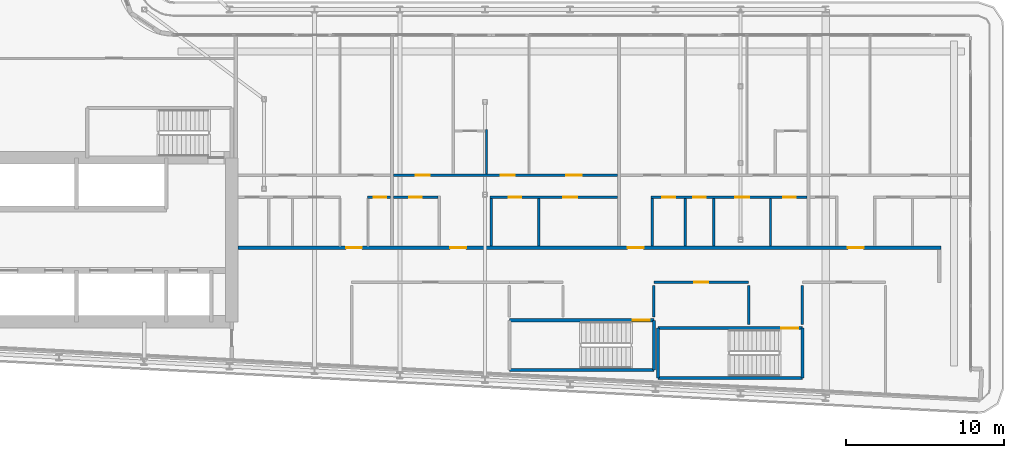
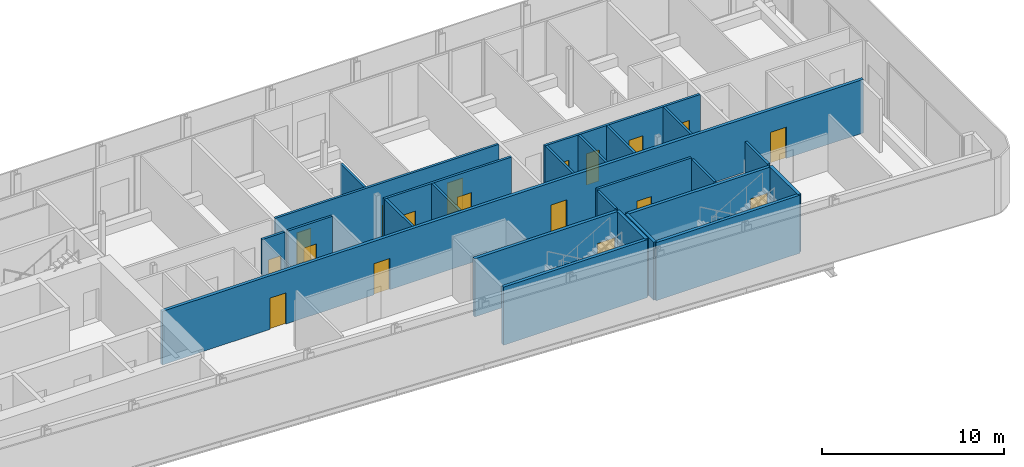
# One storey, part 17 of 29: 24 walls, 18 doors, 18 openings.
"""IFC4 building model written with IfcOpenShell, lengths in metres."""

import ifcopenshell
import ifcopenshell.guid

model = None  # the IFC model being written
_history = None  # IfcOwnerHistory: only IFC2X3 demands one
_inside = {}  # id of a spatial element -> (the spatial element, [elements in it])
_under = {}  # id of a project, library or spatial element -> (it, [spatial elements below it])
_declared = {}  # id of a project -> (the project, [libraries it declares])
_typed = {}  # id of a type object -> (the type object, [elements of that type])
_made_of = {}  # id of a material, layer set ... -> (it, [elements and type objects made of it])


def new_model(schema):
    """Start an empty IFC model of exactly this schema.

    Asked for "IFC4X3", IfcOpenShell would pick the latest addendum, in which some entities
    have other attributes; the version numbers below select the first issue.
    IFC2X3 requires an IfcOwnerHistory on every rooted entity: one is made here for all.
    """
    global model, _history
    if schema == "IFC4X3":
        model = ifcopenshell.file(schema_version=(4, 3, 0, 0))
    else:
        model = ifcopenshell.file(schema=schema)
    _inside.clear()
    _under.clear()
    _declared.clear()
    _typed.clear()
    _made_of.clear()
    _history = None
    if model.schema == "IFC2X3":
        org = make("IfcOrganization", Name="unknown")
        user = make(
            "IfcPersonAndOrganization",
            ThePerson=make("IfcPerson", FamilyName="unknown"),
            TheOrganization=org,
        )
        app = make(
            "IfcApplication",
            ApplicationDeveloper=org,
            Version="unknown",
            ApplicationFullName="unknown",
            ApplicationIdentifier="unknown",
        )
        _history = make(
            "IfcOwnerHistory",
            OwningUser=user,
            OwningApplication=app,
            ChangeAction="ADDED",
            CreationDate=0,
        )
    return model


def make(cls, **values):
    """One entity of the class cls with the attributes given. An attribute that is None is left unset."""
    return model.create_entity(
        cls, **{name: value for name, value in values.items() if value is not None}
    )


def rooted(cls, **values):
    """An entity with a GlobalId (a new one), such as an element, a storey or a relation."""
    return make(cls, GlobalId=ifcopenshell.guid.new(), OwnerHistory=_history, **values)


def si_unit(unit_type, name, prefix=None):
    """IfcSIUnit, for example si_unit("LENGTHUNIT", "METRE", prefix="MILLI")."""
    return make("IfcSIUnit", UnitType=unit_type, Prefix=prefix, Name=name)


def assignment(units):
    """IfcUnitAssignment: the units of a project."""
    return None if units is None else make("IfcUnitAssignment", Units=units)


def point(xyz):
    """IfcCartesianPoint."""
    return None if xyz is None else make("IfcCartesianPoint", Coordinates=xyz)


def direction(xyz):
    """IfcDirection."""
    return None if xyz is None else make("IfcDirection", DirectionRatios=xyz)


def frame(location, z_axis=None, x_axis=None):
    """IfcAxis2Placement3D, a coordinate frame: its origin and axes. An axis left out is left unset."""
    return make(
        "IfcAxis2Placement3D",
        Location=point(location),
        Axis=direction(z_axis),
        RefDirection=direction(x_axis),
    )


def frame_2d(location, x_axis=None):
    """IfcAxis2Placement2D, a coordinate frame in the plane: its origin and x axis."""
    return make(
        "IfcAxis2Placement2D", Location=point(location), RefDirection=direction(x_axis)
    )


def origin():
    """The frame at (0, 0, 0) with its axes left unset."""
    return frame((0.0, 0.0, 0.0))


def place(relative_to, where):
    """IfcLocalPlacement: puts the frame where relative to a parent placement (None: the world)."""
    return make(
        "IfcLocalPlacement", PlacementRelTo=relative_to, RelativePlacement=where
    )


def context(
    kind, dimensions, precision=None, world=None, true_north=None, identifier=None
):
    """IfcGeometricRepresentationContext, for example the 3D "Model" context."""
    return make(
        "IfcGeometricRepresentationContext",
        ContextIdentifier=identifier,
        ContextType=kind,
        CoordinateSpaceDimension=dimensions,
        Precision=precision,
        WorldCoordinateSystem=world,
        TrueNorth=true_north,
    )


def subcontext(parent, identifier, kind, view, scale=None):
    """IfcGeometricRepresentationSubContext, for example "Body" below "Model"."""
    return make(
        "IfcGeometricRepresentationSubContext",
        ContextIdentifier=identifier,
        ContextType=kind,
        ParentContext=parent,
        TargetScale=scale,
        TargetView=view,
    )


def project(units=None, contexts=None):
    """IfcProject with its units and contexts."""
    return rooted(
        "IfcProject",
        Name="project",
        RepresentationContexts=contexts,
        UnitsInContext=assignment(units),
    )


def spatial(cls, under=None, at=None, **own):
    """A site, building, storey or space (cls), placed at a placement, below another one or the project."""
    s = rooted(cls, ObjectPlacement=at, **own)
    if under is not None:
        _under.setdefault(under.id(), (under, []))[1].append(s)
    return s


def profile(cls, at=None, kind="AREA", **sizes):
    """A parametric profile (cls). Its sizes go by their IFC names, for example OverallWidth=200.0."""
    return make(cls, ProfileType=kind, Position=at, **sizes)


def rectangle(**sizes):
    """IfcRectangleProfileDef."""
    return profile("IfcRectangleProfileDef", **sizes)


def extrude(swept, where, along, depth):
    """IfcExtrudedAreaSolid: the profile swept, set in the frame where, extruded along a direction by depth."""
    return make(
        "IfcExtrudedAreaSolid",
        SweptArea=swept,
        Position=where,
        ExtrudedDirection=direction(along),
        Depth=depth,
    )


def shape(context_of_items, identifier, shape_type, items):
    """IfcShapeRepresentation: the items that make up one representation, for example the "Body"."""
    return make(
        "IfcShapeRepresentation",
        ContextOfItems=context_of_items,
        RepresentationIdentifier=identifier,
        RepresentationType=shape_type,
        Items=items,
    )


def source(mapping_origin, context_of_items, identifier, shape_type, items):
    """IfcRepresentationMap: a shape defined once, which mapped items show again and again."""
    return make(
        "IfcRepresentationMap",
        MappingOrigin=mapping_origin,
        MappedRepresentation=shape(context_of_items, identifier, shape_type, items),
    )


def transform(
    local_origin,
    x_axis=None,
    y_axis=None,
    z_axis=None,
    scale=None,
    scale2=None,
    scale3=None,
    uniform=True,
):
    """IfcCartesianTransformationOperator3D, or its non-uniform kind. x_axis, y_axis, z_axis: its Axis1, 2, 3."""
    if uniform:
        return make(
            "IfcCartesianTransformationOperator3D",
            Axis1=direction(x_axis),
            Axis2=direction(y_axis),
            LocalOrigin=point(local_origin),
            Scale=scale,
            Axis3=direction(z_axis),
        )
    return make(
        "IfcCartesianTransformationOperator3DnonUniform",
        Axis1=direction(x_axis),
        Axis2=direction(y_axis),
        LocalOrigin=point(local_origin),
        Scale=scale,
        Axis3=direction(z_axis),
        Scale2=scale2,
        Scale3=scale3,
    )


def mapped(mapping_source, mapping_target):
    """IfcMappedItem: shows the shape of a source again, moved by a transform."""
    return make(
        "IfcMappedItem", MappingSource=mapping_source, MappingTarget=mapping_target
    )


def material(Name=None, Category=None):
    """IfcMaterial."""
    return make("IfcMaterial", Name=Name, Category=Category)


def layer(
    of_material, thickness, ventilated=None, Name=None, Category=None, Priority=None
):
    """IfcMaterialLayer: one layer of a wall or slab, of a material (None: an air gap)."""
    return make(
        "IfcMaterialLayer",
        Material=of_material,
        LayerThickness=thickness,
        IsVentilated=ventilated,
        Name=Name,
        Category=Category,
        Priority=Priority,
    )


def layer_set(layers, Name=None):
    """IfcMaterialLayerSet."""
    return make("IfcMaterialLayerSet", MaterialLayers=layers, LayerSetName=Name)


def made_of(thing, what):
    """Note that an element or type object is made of a material, layer set ...; save() writes the relation."""
    if what is not None:
        _made_of.setdefault(what.id(), (what, []))[1].append(thing)
    return thing


def type_object(cls, material=None, **own):
    """A type object (cls), such as IfcWallType, which elements share."""
    return made_of(rooted(cls, **own), material)


def element(
    cls,
    number,
    at=None,
    inside=None,
    cuts=None,
    type_object=None,
    material=None,
    context=None,
    identifier="Body",
    shape_type=None,
    held_by="IfcProductDefinitionShape",
    body=None,
    shapes=None,
    **own,
):
    """One element of the class cls, such as IfcWall. Its Tag is "e" and its number.

    at: its placement. inside: the storey or other place that contains it. cuts: it is an
    opening in that element (IfcRelVoidsElement). A single representation is given by context,
    identifier, shape_type and body (its items); several are given by shapes. held_by: the class
    of the entity that holds the representations. save() writes the other relations.
    """
    e = rooted(cls, Tag="e%d" % number, ObjectPlacement=at, **own)
    if body is not None:
        shapes = [shape(context, identifier, shape_type, body)]
    if shapes is not None:
        e.Representation = make(held_by, Representations=shapes)
    if inside is not None:
        _inside.setdefault(inside.id(), (inside, []))[1].append(e)
    if cuts is not None:
        rooted(
            "IfcRelVoidsElement", RelatingBuildingElement=cuts, RelatedOpeningElement=e
        )
    if type_object is not None:
        _typed.setdefault(type_object.id(), (type_object, []))[1].append(e)
    return made_of(e, material)


def fill(opening, filler):
    """IfcRelFillsElement: the door or window that sits in an opening."""
    return rooted(
        "IfcRelFillsElement",
        RelatingOpeningElement=opening,
        RelatedBuildingElement=filler,
    )


def aggregate(whole, parts):
    """IfcRelAggregates: a whole, such as a stair, and the parts it consists of."""
    return rooted("IfcRelAggregates", RelatingObject=whole, RelatedObjects=parts)


def save(model, path):
    """Write the relations noted so far, then the file.

    IfcRelAggregates (storeys below a building ...), IfcRelContainedInSpatialStructure (elements
    in a storey), IfcRelDefinesByType, IfcRelAssociatesMaterial and IfcRelDeclares: one each for
    every whole, place, type object, material and project.
    """
    for whole, parts in _under.values():
        aggregate(whole, parts)
    for where, things in _inside.values():
        rooted(
            "IfcRelContainedInSpatialStructure",
            RelatedElements=things,
            RelatingStructure=where,
        )
    for kind, things in _typed.values():
        rooted("IfcRelDefinesByType", RelatedObjects=things, RelatingType=kind)
    for what, things in _made_of.values():
        rooted("IfcRelAssociatesMaterial", RelatedObjects=things, RelatingMaterial=what)
    for by, libraries in _declared.values():
        rooted("IfcRelDeclares", RelatingContext=by, RelatedDefinitions=libraries)
    model.write(path)


model = new_model("IFC4")

# Units and contexts
model_context = context("Model", 3, precision=1e-05, world=origin(), true_north=direction((0.0, 1.0)))
body_context = subcontext(model_context, "Body", "Model", "MODEL_VIEW")
ifc_project = project(units=[si_unit("LENGTHUNIT", "METRE"), si_unit("AREAUNIT", "SQUARE_METRE"), si_unit("VOLUMEUNIT", "CUBIC_METRE"), si_unit("PLANEANGLEUNIT", "RADIAN"), si_unit("MASSUNIT", "GRAM", prefix="KILO")], contexts=[model_context])

# Site, building, storey
site_placement = place(None, origin())
site = spatial("IfcSite", under=ifc_project, at=site_placement, CompositionType="ELEMENT")
building_placement = place(site_placement, origin())
building = spatial("IfcBuilding", under=site, at=building_placement, Name="Kheshtan School and Residences Tower", CompositionType="ELEMENT")
storey_placement = place(building_placement, frame((0.0, 0.0, 179.89990234375)))
storey = spatial("IfcBuildingStorey", under=building, at=storey_placement, Name="L42", CompositionType="ELEMENT", Elevation=179.89990234375)

# Wall, openings, doors
ifc_material_1 = material(Name="Gypsum board on steel studs with fire boards", Category="steel")
ifc_layer_1 = layer(ifc_material_1, 0.199951171875)
ifc_layer_set_1 = layer_set([ifc_layer_1], Name="Corridor wall 200")
wall_type_1 = type_object("IfcWallType", Name="Corridor wall 200", PredefinedType="PARTITIONING", material=ifc_layer_set_1)
wall_1_placement = place(storey_placement, frame((53.549072265625, 30.5, 0.0), z_axis=(0.0, 0.0, 1.0), x_axis=(1.0, 0.0, 0.0)))
wall_1 = element("IfcWall", 1, at=wall_1_placement, inside=storey, type_object=wall_type_1, Name="Partition L42-032", PredefinedType="PARTITIONING", context=body_context, shape_type="SweptSolid", body=[
    extrude(rectangle(XDim=44.551025390625, YDim=0.199951171875, at=frame_2d((22.275390625, 0.0))), origin(), (0.0, 0.0, 1.0), 3.60009765625),
])
opening_1_placement = place(wall_1_placement, frame((6.85107421875, 0.0, 0.0)))
opening_1 = element("IfcOpeningElement", 2, at=opening_1_placement, cuts=wall_1, Name="Opening D41-003", PredefinedType="OPENING", context=body_context, shape_type="SweptSolid", body=[
    extrude(rectangle(XDim=1.0, YDim=2.10009765625, at=frame_2d((0.5, 1.050048828125))), frame((0.0, 0.10986328125, 0.0), z_axis=(0.0, -1.0, 0.0), x_axis=(1.0, 0.0, 0.0)), (0.0, 0.0, 1.0), 0.219970703125),
])
opening_2_placement = place(wall_1_placement, frame((13.450927734375, 0.0, 0.0)))
opening_2 = element("IfcOpeningElement", 3, at=opening_2_placement, cuts=wall_1, Name="Opening D41-011", PredefinedType="OPENING", context=body_context, shape_type="SweptSolid", body=[
    extrude(rectangle(XDim=1.0, YDim=2.10009765625, at=frame_2d((0.5, 1.050048828125))), frame((0.0, 0.10986328125, 0.0), z_axis=(0.0, -1.0, 0.0), x_axis=(1.0, 0.0, 0.0)), (0.0, 0.0, 1.0), 0.219970703125),
])
opening_3_placement = place(wall_1_placement, frame((24.700927734375, 0.0, 0.0)))
opening_3 = element("IfcOpeningElement", 4, at=opening_3_placement, cuts=wall_1, Name="Opening D41-019", PredefinedType="OPENING", context=body_context, shape_type="SweptSolid", body=[
    extrude(rectangle(XDim=1.0, YDim=2.10009765625, at=frame_2d((0.5, 1.050048828125))), frame((0.0, 0.10986328125, 0.0), z_axis=(0.0, -1.0, 0.0), x_axis=(1.0, 0.0, 0.0)), (0.0, 0.0, 1.0), 0.219970703125),
])
opening_4_placement = place(wall_1_placement, frame((38.65087890625, 0.0, 0.0)))
opening_4 = element("IfcOpeningElement", 5, at=opening_4_placement, cuts=wall_1, Name="Opening D41-027", PredefinedType="OPENING", context=body_context, shape_type="SweptSolid", body=[
    extrude(rectangle(XDim=1.0, YDim=2.10009765625, at=frame_2d((0.5, 1.050048828125))), frame((0.0, 0.10986328125, 0.0), z_axis=(0.0, -1.0, 0.0), x_axis=(1.0, 0.0, 0.0)), (0.0, 0.0, 1.0), 0.219970703125),
])
ifc_material_2 = material(Name="Steel-framed fire-resisting door leaf", Category="steel")
door_type_1 = type_object("IfcDoorType", Name="Fire door FD30S 1000 x 2100", OperationType="SINGLE_SWING_LEFT", PredefinedType="DOOR", material=ifc_material_2)
shared_shape_1 = source(origin(), body_context, "Body", "SweptSolid", [
    extrude(rectangle(XDim=1.0, YDim=2.10009765625, at=frame_2d((0.5, 1.050048828125))), frame((0.0, 0.02490234375, 0.0), z_axis=(0.0, -1.0, 0.0), x_axis=(1.0, 0.0, 0.0)), (0.0, 0.0, 1.0), 0.050048828125),
])
door_1_placement = place(opening_1_placement, origin())
door_1 = element("IfcDoor", 6, at=door_1_placement, inside=storey, type_object=door_type_1, Name="Door D41-003", OperationType="SINGLE_SWING_LEFT", OverallHeight=2.10009765625, OverallWidth=1.0, PredefinedType="DOOR", context=body_context, shape_type="MappedRepresentation", body=[
    mapped(shared_shape_1, transform((0.0, 0.0, 0.0), x_axis=(1.0, 0.0, 0.0), y_axis=(0.0, 1.0, 0.0), z_axis=(0.0, 0.0, 1.0), scale=1.0)),
])
fill(opening_1, door_1)
door_2_placement = place(opening_2_placement, origin())
door_2 = element("IfcDoor", 7, at=door_2_placement, inside=storey, type_object=door_type_1, Name="Door D41-011", OperationType="SINGLE_SWING_LEFT", OverallHeight=2.10009765625, OverallWidth=1.0, PredefinedType="DOOR", context=body_context, shape_type="MappedRepresentation", body=[
    mapped(shared_shape_1, transform((0.0, 0.0, 0.0), x_axis=(1.0, 0.0, 0.0), y_axis=(0.0, 1.0, 0.0), z_axis=(0.0, 0.0, 1.0), scale=1.0)),
])
fill(opening_2, door_2)
door_3_placement = place(opening_3_placement, origin())
door_3 = element("IfcDoor", 8, at=door_3_placement, inside=storey, type_object=door_type_1, Name="Door D41-019", OperationType="SINGLE_SWING_LEFT", OverallHeight=2.10009765625, OverallWidth=1.0, PredefinedType="DOOR", context=body_context, shape_type="MappedRepresentation", body=[
    mapped(shared_shape_1, transform((0.0, 0.0, 0.0), x_axis=(1.0, 0.0, 0.0), y_axis=(0.0, 1.0, 0.0), z_axis=(0.0, 0.0, 1.0), scale=1.0)),
])
fill(opening_3, door_3)
door_4_placement = place(opening_4_placement, origin())
door_4 = element("IfcDoor", 9, at=door_4_placement, inside=storey, type_object=door_type_1, Name="Door D41-027", OperationType="SINGLE_SWING_LEFT", OverallHeight=2.10009765625, OverallWidth=1.0, PredefinedType="DOOR", context=body_context, shape_type="MappedRepresentation", body=[
    mapped(shared_shape_1, transform((0.0, 0.0, 0.0), x_axis=(1.0, 0.0, 0.0), y_axis=(0.0, 1.0, 0.0), z_axis=(0.0, 0.0, 1.0), scale=1.0)),
])
fill(opening_4, door_4)

# Wall, opening, door
ifc_material_3 = material(Name="Fire-board shaft wall system")
ifc_layer_2 = layer(ifc_material_3, 0.14990234375)
ifc_layer_set_2 = layer_set([ifc_layer_2], Name="Service room wall 150")
wall_type_2 = type_object("IfcWallType", Name="Service room wall 150", PredefinedType="PARTITIONING", material=ifc_layer_set_2)
wall_2_placement = place(storey_placement, frame((79.909912109375, 28.300048828125, 0.0), z_axis=(0.0, 0.0, 1.0), x_axis=(1.0, 0.0, 0.0)))
wall_2 = element("IfcWall", 10, at=wall_2_placement, inside=storey, type_object=wall_type_2, Name="Service room wall", PredefinedType="PARTITIONING", context=body_context, shape_type="SweptSolid", body=[
    extrude(rectangle(XDim=6.010009765625, YDim=0.14990234375, at=frame_2d((3.0048828125, 0.0))), origin(), (0.0, 0.0, 1.0), 3.900146484375),
])
opening_5_placement = place(wall_2_placement, frame((2.554931640625, 0.0, 0.0)))
opening_5 = element("IfcOpeningElement", 11, at=opening_5_placement, cuts=wall_2, Name="Opening SR90", PredefinedType="OPENING", context=body_context, shape_type="SweptSolid", body=[
    extrude(rectangle(XDim=0.89990234375, YDim=2.199951171875, at=frame_2d((0.449951171875, 1.10009765625))), frame((0.0, 0.0849609375, 0.0), z_axis=(0.0, -1.0, 0.0), x_axis=(1.0, 0.0, 0.0)), (0.0, 0.0, 1.0), 0.169921875),
])
ifc_material_4 = material(Name="Steel door leaf, galvanised", Category="steel")
door_type_2 = type_object("IfcDoorType", Name="Service room door 900 steel 90 min", OperationType="SINGLE_SWING_LEFT", PredefinedType="DOOR", material=ifc_material_4)
shared_shape_2 = source(origin(), body_context, "Body", "SweptSolid", [
    extrude(rectangle(XDim=0.89990234375, YDim=2.199951171875, at=frame_2d((0.449951171875, 1.10009765625))), frame((0.0, 0.02490234375, 0.0), z_axis=(0.0, -1.0, 0.0), x_axis=(1.0, 0.0, 0.0)), (0.0, 0.0, 1.0), 0.050048828125),
])
door_5_placement = place(opening_5_placement, origin())
door_5 = element("IfcDoor", 12, at=door_5_placement, inside=storey, type_object=door_type_2, Name="Service room door", OperationType="SINGLE_SWING_LEFT", OverallHeight=2.199951171875, OverallWidth=0.89990234375, PredefinedType="DOOR", context=body_context, shape_type="MappedRepresentation", body=[
    mapped(shared_shape_2, transform((0.0, 0.0, 0.0), x_axis=(1.0, 0.0, 0.0), y_axis=(0.0, 1.0, 0.0), z_axis=(0.0, 0.0, 1.0), scale=1.0)),
])
fill(opening_5, door_5)

# Walls
wall_3_placement = place(storey_placement, frame((79.909912109375, 26.1201171875, 0.0), z_axis=(0.0, 0.0, 1.0), x_axis=(0.0, 1.0, 0.0)))
element("IfcWall", 13, at=wall_3_placement, inside=storey, type_object=wall_type_2, Name="Service room wall", PredefinedType="PARTITIONING", context=body_context, shape_type="SweptSolid", body=[
    extrude(rectangle(XDim=1.98486328125, YDim=0.14990234375, at=frame_2d((0.992431640625, 0.0))), origin(), (0.0, 0.0, 1.0), 3.900146484375),
])
for number, where, z_axis, x_axis, name in (
    (14, (85.919921875, 25.6201171875, 0.0), (0.0, 0.0, 1.0), (0.0, 1.0, 0.0), "Service room wall"),
    (15, (89.320068359375, 25.6201171875, 0.0), (0.0, 0.0, 1.0), (0.0, 1.0, 0.0), "Service room wall"),
):
    element("IfcWall", number, at=place(storey_placement, frame(where, z_axis=z_axis, x_axis=x_axis)), inside=storey, type_object=wall_type_2, Name=name, PredefinedType="PARTITIONING", context=body_context, shape_type="SweptSolid", body=[
        extrude(rectangle(XDim=2.48486328125, YDim=0.14990234375, at=frame_2d((1.242431640625, 0.0))), origin(), (0.0, 0.0, 1.0), 3.900146484375),
    ])
ifc_material_5 = material(Name="Concrete C40/50", Category="concrete")
ifc_layer_3 = layer(ifc_material_5, 0.199951171875)
ifc_layer_set_3 = layer_set([ifc_layer_3], Name="Stair enclosure wall 200 Concrete C40/50")
wall_type_3 = type_object("IfcWallType", Name="Stair enclosure wall 200 Concrete C40/50", PredefinedType="SHEAR", material=ifc_layer_set_3)
wall_4_placement = place(storey_placement, frame((80.159912109375, 22.25, 0.0), z_axis=(0.0, 0.0, 1.0), x_axis=(1.0, 0.0, 0.0)))
element("IfcWall", 16, at=wall_4_placement, inside=storey, type_object=wall_type_3, Name="Stair enclosure wall ST4", PredefinedType="SHEAR", context=body_context, shape_type="SweptSolid", body=[
    extrude(rectangle(XDim=9.16015625, YDim=0.199951171875, at=frame_2d((4.580078125, 0.0))), origin(), (0.0, 0.0, 1.0), 3.900146484375),
])

# Wall, opening, door
wall_5_placement = place(storey_placement, frame((80.159912109375, 25.39990234375, 0.0), z_axis=(0.0, 0.0, 1.0), x_axis=(1.0, 0.0, 0.0)))
wall_5 = element("IfcWall", 17, at=wall_5_placement, inside=storey, type_object=wall_type_3, Name="Stair enclosure wall ST4", PredefinedType="SHEAR", context=body_context, shape_type="SweptSolid", body=[
    extrude(rectangle(XDim=9.16015625, YDim=0.199951171875, at=frame_2d((4.580078125, 0.0))), origin(), (0.0, 0.0, 1.0), 3.900146484375),
])
opening_6_placement = place(wall_5_placement, frame((7.81005859375, 0.0, 0.0)))
opening_6 = element("IfcOpeningElement", 18, at=opening_6_placement, cuts=wall_5, Name="Opening ST4D", PredefinedType="OPENING", context=body_context, shape_type="SweptSolid", body=[
    extrude(rectangle(XDim=1.10009765625, YDim=2.199951171875, at=frame_2d((0.550048828125, 1.10009765625))), frame((0.0, 0.10986328125, 0.0), z_axis=(0.0, -1.0, 0.0), x_axis=(1.0, 0.0, 0.0)), (0.0, 0.0, 1.0), 0.219970703125),
])
door_type_3 = type_object("IfcDoorType", Name="Stair door 1100 steel 90 min", OperationType="SINGLE_SWING_LEFT", PredefinedType="DOOR", material=ifc_material_4)
shared_shape_3 = source(origin(), body_context, "Body", "SweptSolid", [
    extrude(rectangle(XDim=1.10009765625, YDim=2.199951171875, at=frame_2d((0.550048828125, 1.10009765625))), frame((0.0, 0.02490234375, 0.0), z_axis=(0.0, -1.0, 0.0), x_axis=(1.0, 0.0, 0.0)), (0.0, 0.0, 1.0), 0.050048828125),
])
door_6_placement = place(opening_6_placement, origin())
door_6 = element("IfcDoor", 19, at=door_6_placement, inside=storey, type_object=door_type_3, Name="Stair ST4 door", OperationType="SINGLE_SWING_LEFT", OverallHeight=2.199951171875, OverallWidth=1.10009765625, PredefinedType="DOOR", context=body_context, shape_type="MappedRepresentation", body=[
    mapped(shared_shape_3, transform((0.0, 0.0, 0.0), x_axis=(1.0, 0.0, 0.0), y_axis=(0.0, 1.0, 0.0), z_axis=(0.0, 0.0, 1.0), scale=1.0)),
])
fill(opening_6, door_6)

# Walls
for number, where, z_axis, x_axis, name in (
    (20, (80.159912109375, 22.25, 0.0), (0.0, 0.0, 1.0), (0.0, 1.0, 0.0), "Stair enclosure wall ST4"),
    (21, (89.320068359375, 22.25, 0.0), (0.0, 0.0, 1.0), (0.0, 1.0, 0.0), "Stair enclosure wall ST4"),
):
    element("IfcWall", number, at=place(storey_placement, frame(where, z_axis=z_axis, x_axis=x_axis)), inside=storey, type_object=wall_type_3, Name=name, PredefinedType="SHEAR", context=body_context, shape_type="SweptSolid", body=[
        extrude(rectangle(XDim=3.14990234375, YDim=0.199951171875, at=frame_2d((1.574951171875, 0.0))), origin(), (0.0, 0.0, 1.0), 3.900146484375),
    ])
wall_6_placement = place(storey_placement, frame((70.75, 22.75, 0.0), z_axis=(0.0, 0.0, 1.0), x_axis=(1.0, 0.0, 0.0)))
element("IfcWall", 22, at=wall_6_placement, inside=storey, type_object=wall_type_3, Name="Stair enclosure wall ST5", PredefinedType="SHEAR", context=body_context, shape_type="SweptSolid", body=[
    extrude(rectangle(XDim=9.159912109375, YDim=0.199951171875, at=frame_2d((4.580078125, 0.0))), origin(), (0.0, 0.0, 1.0), 3.900146484375),
])

# Wall, opening, door
wall_7_placement = place(storey_placement, frame((70.75, 25.89990234375, 0.0), z_axis=(0.0, 0.0, 1.0), x_axis=(1.0, 0.0, 0.0)))
wall_7 = element("IfcWall", 23, at=wall_7_placement, inside=storey, type_object=wall_type_3, Name="Stair enclosure wall ST5", PredefinedType="SHEAR", context=body_context, shape_type="SweptSolid", body=[
    extrude(rectangle(XDim=9.159912109375, YDim=0.199951171875, at=frame_2d((4.580078125, 0.0))), origin(), (0.0, 0.0, 1.0), 3.900146484375),
])
opening_7_placement = place(wall_7_placement, frame((7.81005859375, 0.0, 0.0)))
opening_7 = element("IfcOpeningElement", 24, at=opening_7_placement, cuts=wall_7, Name="Opening ST5D", PredefinedType="OPENING", context=body_context, shape_type="SweptSolid", body=[
    extrude(rectangle(XDim=1.10009765625, YDim=2.199951171875, at=frame_2d((0.550048828125, 1.10009765625))), frame((0.0, 0.10986328125, 0.0), z_axis=(0.0, -1.0, 0.0), x_axis=(1.0, 0.0, 0.0)), (0.0, 0.0, 1.0), 0.219970703125),
])
door_7_placement = place(opening_7_placement, origin())
door_7 = element("IfcDoor", 25, at=door_7_placement, inside=storey, type_object=door_type_3, Name="Stair ST5 door", OperationType="SINGLE_SWING_LEFT", OverallHeight=2.199951171875, OverallWidth=1.10009765625, PredefinedType="DOOR", context=body_context, shape_type="MappedRepresentation", body=[
    mapped(shared_shape_3, transform((0.0, 0.0, 0.0), x_axis=(1.0, 0.0, 0.0), y_axis=(0.0, 1.0, 0.0), z_axis=(0.0, 0.0, 1.0), scale=1.0)),
])
fill(opening_7, door_7)

# Wall
wall_8_placement = place(storey_placement, frame((79.909912109375, 22.75, 0.0), z_axis=(0.0, 0.0, 1.0), x_axis=(0.0, 1.0, 0.0)))
element("IfcWall", 26, at=wall_8_placement, inside=storey, type_object=wall_type_3, Name="Stair enclosure wall ST5", PredefinedType="SHEAR", context=body_context, shape_type="SweptSolid", body=[
    extrude(rectangle(XDim=3.14990234375, YDim=0.199951171875, at=frame_2d((1.574951171875, 0.0))), origin(), (0.0, 0.0, 1.0), 3.900146484375),
])

# Wall, opening, door
ifc_material_6 = material(Name="Moisture-resistant gypsum board on steel studs", Category="steel")
ifc_layer_4 = layer(ifc_material_6, 0.14990234375)
ifc_layer_set_4 = layer_set([ifc_layer_4], Name="Wet-room partition 150")
wall_type_4 = type_object("IfcWallType", Name="Wet-room partition 150", PredefinedType="PARTITIONING", material=ifc_layer_set_4)
wall_9_placement = place(storey_placement, frame((61.75, 33.699951171875, 0.0), z_axis=(0.0, 0.0, 1.0), x_axis=(1.0, 0.0, 0.0)))
wall_9 = element("IfcWall", 27, at=wall_9_placement, inside=storey, type_object=wall_type_4, Name="Partition L42-039", PredefinedType="PARTITIONING", context=body_context, shape_type="SweptSolid", body=[
    extrude(rectangle(XDim=1.449951171875, YDim=0.14990234375, at=frame_2d((0.72509765625, 0.0))), origin(), (0.0, 0.0, 1.0), 3.60009765625),
])
opening_8_placement = place(wall_9_placement, frame((0.39990234375, 0.0, 0.0)))
opening_8 = element("IfcOpeningElement", 28, at=opening_8_placement, cuts=wall_9, Name="Opening D41-006", PredefinedType="OPENING", context=body_context, shape_type="SweptSolid", body=[
    extrude(rectangle(XDim=0.800048828125, YDim=2.10009765625, at=frame_2d((0.39990234375, 1.050048828125))), frame((0.0, 0.0849609375, 0.0), z_axis=(0.0, -1.0, 0.0), x_axis=(1.0, 0.0, 0.0)), (0.0, 0.0, 1.0), 0.169921875),
])
ifc_material_7 = material(Name="Veneered timber door leaf", Category="wood")
door_type_4 = type_object("IfcDoorType", Name="Door 800 x 2100", OperationType="SINGLE_SWING_LEFT", PredefinedType="DOOR", material=ifc_material_7)
shared_shape_4 = source(origin(), body_context, "Body", "SweptSolid", [
    extrude(rectangle(XDim=0.800048828125, YDim=2.10009765625, at=frame_2d((0.39990234375, 1.050048828125))), frame((0.0, 0.02490234375, 0.0), z_axis=(0.0, -1.0, 0.0), x_axis=(1.0, 0.0, 0.0)), (0.0, 0.0, 1.0), 0.050048828125),
])
door_8_placement = place(opening_8_placement, origin())
door_8 = element("IfcDoor", 29, at=door_8_placement, inside=storey, type_object=door_type_4, Name="Door D41-006", OperationType="SINGLE_SWING_LEFT", OverallHeight=2.10009765625, OverallWidth=0.800048828125, PredefinedType="DOOR", context=body_context, shape_type="MappedRepresentation", body=[
    mapped(shared_shape_4, transform((0.0, 0.0, 0.0), x_axis=(1.0, 0.0, 0.0), y_axis=(0.0, 1.0, 0.0), z_axis=(0.0, 0.0, 1.0), scale=1.0)),
])
fill(opening_8, door_8)

wall_10_placement = place(storey_placement, frame((63.39990234375, 33.699951171875, 0.0), z_axis=(0.0, 0.0, 1.0), x_axis=(1.0, 0.0, 0.0)))
wall_10 = element("IfcWall", 30, at=wall_10_placement, inside=storey, type_object=wall_type_4, Name="Partition L42-042", PredefinedType="PARTITIONING", context=body_context, shape_type="SweptSolid", body=[
    extrude(rectangle(XDim=2.8251953125, YDim=0.14990234375, at=frame_2d((1.41259765625, 0.0))), origin(), (0.0, 0.0, 1.0), 3.60009765625),
])
opening_9_placement = place(wall_10_placement, frame((1.0, 0.0, 0.0)))
opening_9 = element("IfcOpeningElement", 31, at=opening_9_placement, cuts=wall_10, Name="Opening D41-008", PredefinedType="OPENING", context=body_context, shape_type="SweptSolid", body=[
    extrude(rectangle(XDim=0.800048828125, YDim=2.10009765625, at=frame_2d((0.39990234375, 1.050048828125))), frame((0.0, 0.0849609375, 0.0), z_axis=(0.0, -1.0, 0.0), x_axis=(1.0, 0.0, 0.0)), (0.0, 0.0, 1.0), 0.169921875),
])
door_9_placement = place(opening_9_placement, origin())
door_9 = element("IfcDoor", 32, at=door_9_placement, inside=storey, type_object=door_type_4, Name="Door D41-008", OperationType="SINGLE_SWING_LEFT", OverallHeight=2.10009765625, OverallWidth=0.800048828125, PredefinedType="DOOR", context=body_context, shape_type="MappedRepresentation", body=[
    mapped(shared_shape_4, transform((0.0, 0.0, 0.0), x_axis=(1.0, 0.0, 0.0), y_axis=(0.0, 1.0, 0.0), z_axis=(0.0, 0.0, 1.0), scale=1.0)),
])
fill(opening_9, door_9)

# Wall, openings, doors
wall_11_placement = place(storey_placement, frame((63.39990234375, 35.10009765625, 0.0), z_axis=(0.0, 0.0, 1.0), x_axis=(1.0, 0.0, 0.0)))
wall_11 = element("IfcWall", 33, at=wall_11_placement, inside=storey, type_object=wall_type_4, Name="Partition L42-043", PredefinedType="PARTITIONING", context=body_context, shape_type="SweptSolid", body=[
    extrude(rectangle(XDim=14.2001953125, YDim=0.14990234375, at=frame_2d((7.10009765625, 0.0))), origin(), (0.0, 0.0, 1.0), 3.60009765625),
])
opening_10_placement = place(wall_11_placement, frame((1.39990234375, 0.0, 0.0)))
opening_10 = element("IfcOpeningElement", 34, at=opening_10_placement, cuts=wall_11, Name="Opening D41-009", PredefinedType="OPENING", context=body_context, shape_type="SweptSolid", body=[
    extrude(rectangle(XDim=0.89990234375, YDim=2.10009765625, at=frame_2d((0.449951171875, 1.050048828125))), frame((0.0, 0.0849609375, 0.0), z_axis=(0.0, -1.0, 0.0), x_axis=(1.0, 0.0, 0.0)), (0.0, 0.0, 1.0), 0.169921875),
])
opening_11_placement = place(wall_11_placement, frame((10.949951171875, 0.0, 0.0)))
opening_11 = element("IfcOpeningElement", 35, at=opening_11_placement, cuts=wall_11, Name="Opening D41-013", PredefinedType="OPENING", context=body_context, shape_type="SweptSolid", body=[
    extrude(rectangle(XDim=1.0, YDim=2.10009765625, at=frame_2d((0.5, 1.050048828125))), frame((0.0, 0.0849609375, 0.0), z_axis=(0.0, -1.0, 0.0), x_axis=(1.0, 0.0, 0.0)), (0.0, 0.0, 1.0), 0.169921875),
])
opening_12_placement = place(wall_11_placement, frame((6.800048828125, 0.0, 0.0)))
opening_12 = element("IfcOpeningElement", 36, at=opening_12_placement, cuts=wall_11, Name="Opening D41-014", PredefinedType="OPENING", context=body_context, shape_type="SweptSolid", body=[
    extrude(rectangle(XDim=0.89990234375, YDim=2.10009765625, at=frame_2d((0.449951171875, 1.050048828125))), frame((0.0, 0.0849609375, 0.0), z_axis=(0.0, -1.0, 0.0), x_axis=(1.0, 0.0, 0.0)), (0.0, 0.0, 1.0), 0.169921875),
])
door_type_5 = type_object("IfcDoorType", Name="Door 1000 x 2100", OperationType="SINGLE_SWING_LEFT", PredefinedType="DOOR", material=ifc_material_7)
shared_shape_5 = source(origin(), body_context, "Body", "SweptSolid", [
    extrude(rectangle(XDim=1.0, YDim=2.10009765625, at=frame_2d((0.5, 1.050048828125))), frame((0.0, 0.02490234375, 0.0), z_axis=(0.0, -1.0, 0.0), x_axis=(1.0, 0.0, 0.0)), (0.0, 0.0, 1.0), 0.050048828125),
])
door_10_placement = place(opening_11_placement, origin())
door_10 = element("IfcDoor", 37, at=door_10_placement, inside=storey, type_object=door_type_5, Name="Door D41-013", OperationType="SINGLE_SWING_LEFT", OverallHeight=2.10009765625, OverallWidth=1.0, PredefinedType="DOOR", context=body_context, shape_type="MappedRepresentation", body=[
    mapped(shared_shape_5, transform((0.0, 0.0, 0.0), x_axis=(1.0, 0.0, 0.0), y_axis=(0.0, 1.0, 0.0), z_axis=(0.0, 0.0, 1.0), scale=1.0)),
])
fill(opening_11, door_10)
door_type_6 = type_object("IfcDoorType", Name="Door 900 x 2100", OperationType="SINGLE_SWING_LEFT", PredefinedType="DOOR", material=ifc_material_7)
shared_shape_6 = source(origin(), body_context, "Body", "SweptSolid", [
    extrude(rectangle(XDim=0.89990234375, YDim=2.10009765625, at=frame_2d((0.449951171875, 1.050048828125))), frame((0.0, 0.02490234375, 0.0), z_axis=(0.0, -1.0, 0.0), x_axis=(1.0, 0.0, 0.0)), (0.0, 0.0, 1.0), 0.050048828125),
])
door_11_placement = place(opening_10_placement, origin())
door_11 = element("IfcDoor", 38, at=door_11_placement, inside=storey, type_object=door_type_6, Name="Door D41-009", OperationType="SINGLE_SWING_RIGHT", OverallHeight=2.10009765625, OverallWidth=0.89990234375, PredefinedType="DOOR", context=body_context, shape_type="MappedRepresentation", body=[
    mapped(shared_shape_6, transform((0.0, 0.0, 0.0), x_axis=(1.0, 0.0, 0.0), y_axis=(0.0, 1.0, 0.0), z_axis=(0.0, 0.0, 1.0), scale=1.0)),
])
fill(opening_10, door_11)
door_12_placement = place(opening_12_placement, origin())
door_12 = element("IfcDoor", 39, at=door_12_placement, inside=storey, type_object=door_type_6, Name="Door D41-014", OperationType="SINGLE_SWING_LEFT", OverallHeight=2.10009765625, OverallWidth=0.89990234375, PredefinedType="DOOR", context=body_context, shape_type="MappedRepresentation", body=[
    mapped(shared_shape_6, transform((0.0, 0.0, 0.0), x_axis=(1.0, 0.0, 0.0), y_axis=(0.0, 1.0, 0.0), z_axis=(0.0, 0.0, 1.0), scale=1.0)),
])
fill(opening_12, door_12)

# Wall
wall_12_placement = place(storey_placement, frame((69.300048828125, 35.175048828125, 0.0), z_axis=(0.0, 0.0, 1.0), x_axis=(0.0, 1.0, 0.0)))
element("IfcWall", 40, at=wall_12_placement, inside=storey, type_object=wall_type_4, Name="Partition L42-047", PredefinedType="PARTITIONING", context=body_context, shape_type="SweptSolid", body=[
    extrude(rectangle(XDim=2.800048828125, YDim=0.14990234375, at=frame_2d((1.39990234375, 0.0))), origin(), (0.0, 0.0, 1.0), 3.447021484375),
])

# Wall, openings, doors
wall_13_placement = place(storey_placement, frame((69.52490234375, 33.699951171875, 0.0), z_axis=(0.0, 0.0, 1.0), x_axis=(1.0, 0.0, 0.0)))
wall_13 = element("IfcWall", 41, at=wall_13_placement, inside=storey, type_object=wall_type_4, Name="Partition L42-048", PredefinedType="PARTITIONING", context=body_context, shape_type="SweptSolid", body=[
    extrude(rectangle(XDim=8.0751953125, YDim=0.14990234375, at=frame_2d((4.03759765625, 0.0))), origin(), (0.0, 0.0, 1.0), 3.60009765625),
])
opening_13_placement = place(wall_13_placement, frame((4.625, 0.0, 0.0)))
opening_13 = element("IfcOpeningElement", 42, at=opening_13_placement, cuts=wall_13, Name="Opening D41-012", PredefinedType="OPENING", context=body_context, shape_type="SweptSolid", body=[
    extrude(rectangle(XDim=0.89990234375, YDim=2.10009765625, at=frame_2d((0.449951171875, 1.050048828125))), frame((0.0, 0.0849609375, 0.0), z_axis=(0.0, -1.0, 0.0), x_axis=(1.0, 0.0, 0.0)), (0.0, 0.0, 1.0), 0.169921875),
])
opening_14_placement = place(wall_13_placement, frame((1.175048828125, 0.0, 0.0)))
opening_14 = element("IfcOpeningElement", 43, at=opening_14_placement, cuts=wall_13, Name="Opening D41-015", PredefinedType="OPENING", context=body_context, shape_type="SweptSolid", body=[
    extrude(rectangle(XDim=0.800048828125, YDim=2.10009765625, at=frame_2d((0.39990234375, 1.050048828125))), frame((0.0, 0.0849609375, 0.0), z_axis=(0.0, -1.0, 0.0), x_axis=(1.0, 0.0, 0.0)), (0.0, 0.0, 1.0), 0.169921875),
])
door_13_placement = place(opening_14_placement, origin())
door_13 = element("IfcDoor", 44, at=door_13_placement, inside=storey, type_object=door_type_4, Name="Door D41-015", OperationType="SINGLE_SWING_LEFT", OverallHeight=2.10009765625, OverallWidth=0.800048828125, PredefinedType="DOOR", context=body_context, shape_type="MappedRepresentation", body=[
    mapped(shared_shape_4, transform((0.0, 0.0, 0.0), x_axis=(1.0, 0.0, 0.0), y_axis=(0.0, 1.0, 0.0), z_axis=(0.0, 0.0, 1.0), scale=1.0)),
])
fill(opening_14, door_13)
door_14_placement = place(opening_13_placement, origin())
door_14 = element("IfcDoor", 45, at=door_14_placement, inside=storey, type_object=door_type_6, Name="Door D41-012", OperationType="SINGLE_SWING_LEFT", OverallHeight=2.10009765625, OverallWidth=0.89990234375, PredefinedType="DOOR", context=body_context, shape_type="MappedRepresentation", body=[
    mapped(shared_shape_6, transform((0.0, 0.0, 0.0), x_axis=(1.0, 0.0, 0.0), y_axis=(0.0, 1.0, 0.0), z_axis=(0.0, 0.0, 1.0), scale=1.0)),
])
fill(opening_13, door_14)

# Walls
for number, where, z_axis, x_axis, name in (
    (46, (69.60009765625, 30.60009765625, 0.0), (0.0, 0.0, 1.0), (0.0, 1.0, 0.0), "Partition L42-049"),
    (47, (72.60009765625, 30.60009765625, 0.0), (0.0, 0.0, 1.0), (0.0, 1.0, 0.0), "Partition L42-051"),
):
    element("IfcWall", number, at=place(storey_placement, frame(where, z_axis=z_axis, x_axis=x_axis)), inside=storey, type_object=wall_type_4, Name=name, PredefinedType="PARTITIONING", context=body_context, shape_type="SweptSolid", body=[
        extrude(rectangle(XDim=3.02490234375, YDim=0.14990234375, at=frame_2d((1.512451171875, 0.0))), origin(), (0.0, 0.0, 1.0), 3.60009765625),
    ])

# Wall, openings, doors
wall_14_placement = place(storey_placement, frame((79.72509765625, 33.699951171875, 0.0), z_axis=(0.0, 0.0, 1.0), x_axis=(1.0, 0.0, 0.0)))
wall_14 = element("IfcWall", 48, at=wall_14_placement, inside=storey, type_object=wall_type_4, Name="Partition L42-054", PredefinedType="PARTITIONING", context=body_context, shape_type="SweptSolid", body=[
    extrude(rectangle(XDim=9.875, YDim=0.14990234375, at=frame_2d((4.9375, 0.0))), origin(), (0.0, 0.0, 1.0), 3.60009765625),
])
opening_15_placement = place(wall_14_placement, frame((8.375, 0.0, 0.0)))
opening_15 = element("IfcOpeningElement", 49, at=opening_15_placement, cuts=wall_14, Name="Opening D41-016", PredefinedType="OPENING", context=body_context, shape_type="SweptSolid", body=[
    extrude(rectangle(XDim=0.800048828125, YDim=2.10009765625, at=frame_2d((0.39990234375, 1.050048828125))), frame((0.0, 0.0849609375, 0.0), z_axis=(0.0, -1.0, 0.0), x_axis=(1.0, 0.0, 0.0)), (0.0, 0.0, 1.0), 0.169921875),
])
opening_16_placement = place(wall_14_placement, frame((5.324951171875, 0.0, 0.0)))
opening_16 = element("IfcOpeningElement", 50, at=opening_16_placement, cuts=wall_14, Name="Opening D41-020", PredefinedType="OPENING", context=body_context, shape_type="SweptSolid", body=[
    extrude(rectangle(XDim=0.89990234375, YDim=2.10009765625, at=frame_2d((0.449951171875, 1.050048828125))), frame((0.0, 0.0849609375, 0.0), z_axis=(0.0, -1.0, 0.0), x_axis=(1.0, 0.0, 0.0)), (0.0, 0.0, 1.0), 0.169921875),
])
opening_17_placement = place(wall_14_placement, frame((0.72509765625, 0.0, 0.0)))
opening_17 = element("IfcOpeningElement", 51, at=opening_17_placement, cuts=wall_14, Name="Opening D41-021", PredefinedType="OPENING", context=body_context, shape_type="SweptSolid", body=[
    extrude(rectangle(XDim=0.800048828125, YDim=2.10009765625, at=frame_2d((0.39990234375, 1.050048828125))), frame((0.0, 0.0849609375, 0.0), z_axis=(0.0, -1.0, 0.0), x_axis=(1.0, 0.0, 0.0)), (0.0, 0.0, 1.0), 0.169921875),
])
opening_18_placement = place(wall_14_placement, frame((2.675048828125, 0.0, 0.0)))
opening_18 = element("IfcOpeningElement", 52, at=opening_18_placement, cuts=wall_14, Name="Opening D41-024", PredefinedType="OPENING", context=body_context, shape_type="SweptSolid", body=[
    extrude(rectangle(XDim=0.800048828125, YDim=2.10009765625, at=frame_2d((0.39990234375, 1.050048828125))), frame((0.0, 0.0849609375, 0.0), z_axis=(0.0, -1.0, 0.0), x_axis=(1.0, 0.0, 0.0)), (0.0, 0.0, 1.0), 0.169921875),
])
door_15_placement = place(opening_15_placement, origin())
door_15 = element("IfcDoor", 53, at=door_15_placement, inside=storey, type_object=door_type_4, Name="Door D41-016", OperationType="SINGLE_SWING_LEFT", OverallHeight=2.10009765625, OverallWidth=0.800048828125, PredefinedType="DOOR", context=body_context, shape_type="MappedRepresentation", body=[
    mapped(shared_shape_4, transform((0.0, 0.0, 0.0), x_axis=(1.0, 0.0, 0.0), y_axis=(0.0, 1.0, 0.0), z_axis=(0.0, 0.0, 1.0), scale=1.0)),
])
fill(opening_15, door_15)
door_16_placement = place(opening_17_placement, origin())
door_16 = element("IfcDoor", 54, at=door_16_placement, inside=storey, type_object=door_type_4, Name="Door D41-021", OperationType="SINGLE_SWING_RIGHT", OverallHeight=2.10009765625, OverallWidth=0.800048828125, PredefinedType="DOOR", context=body_context, shape_type="MappedRepresentation", body=[
    mapped(shared_shape_4, transform((0.0, 0.0, 0.0), x_axis=(1.0, 0.0, 0.0), y_axis=(0.0, 1.0, 0.0), z_axis=(0.0, 0.0, 1.0), scale=1.0)),
])
fill(opening_17, door_16)
door_17_placement = place(opening_18_placement, origin())
door_17 = element("IfcDoor", 55, at=door_17_placement, inside=storey, type_object=door_type_4, Name="Door D41-024", OperationType="SINGLE_SWING_RIGHT", OverallHeight=2.10009765625, OverallWidth=0.800048828125, PredefinedType="DOOR", context=body_context, shape_type="MappedRepresentation", body=[
    mapped(shared_shape_4, transform((0.0, 0.0, 0.0), x_axis=(1.0, 0.0, 0.0), y_axis=(0.0, 1.0, 0.0), z_axis=(0.0, 0.0, 1.0), scale=1.0)),
])
fill(opening_18, door_17)
door_18_placement = place(opening_16_placement, origin())
door_18 = element("IfcDoor", 56, at=door_18_placement, inside=storey, type_object=door_type_6, Name="Door D41-020", OperationType="SINGLE_SWING_RIGHT", OverallHeight=2.10009765625, OverallWidth=0.89990234375, PredefinedType="DOOR", context=body_context, shape_type="MappedRepresentation", body=[
    mapped(shared_shape_6, transform((0.0, 0.0, 0.0), x_axis=(1.0, 0.0, 0.0), y_axis=(0.0, 1.0, 0.0), z_axis=(0.0, 0.0, 1.0), scale=1.0)),
])
fill(opening_16, door_18)

# Walls
for number, where, z_axis, x_axis, name in (
    (57, (79.800048828125, 30.60009765625, 0.0), (0.0, 0.0, 1.0), (0.0, 1.0, 0.0), "Partition L42-055"),
    (58, (81.89990234375, 30.60009765625, 0.0), (0.0, 0.0, 1.0), (0.0, 1.0, 0.0), "Partition L42-056"),
    (59, (83.699951171875, 30.60009765625, 0.0), (0.0, 0.0, 1.0), (0.0, 1.0, 0.0), "Partition L42-058"),
    (60, (87.300048828125, 30.60009765625, 0.0), (0.0, 0.0, 1.0), (0.0, 1.0, 0.0), "Partition L42-060"),
):
    element("IfcWall", number, at=place(storey_placement, frame(where, z_axis=z_axis, x_axis=x_axis)), inside=storey, type_object=wall_type_4, Name=name, PredefinedType="PARTITIONING", context=body_context, shape_type="SweptSolid", body=[
        extrude(rectangle(XDim=3.02490234375, YDim=0.14990234375, at=frame_2d((1.512451171875, 0.0))), origin(), (0.0, 0.0, 1.0), 3.60009765625),
    ])

save(model, "model.ifc")
